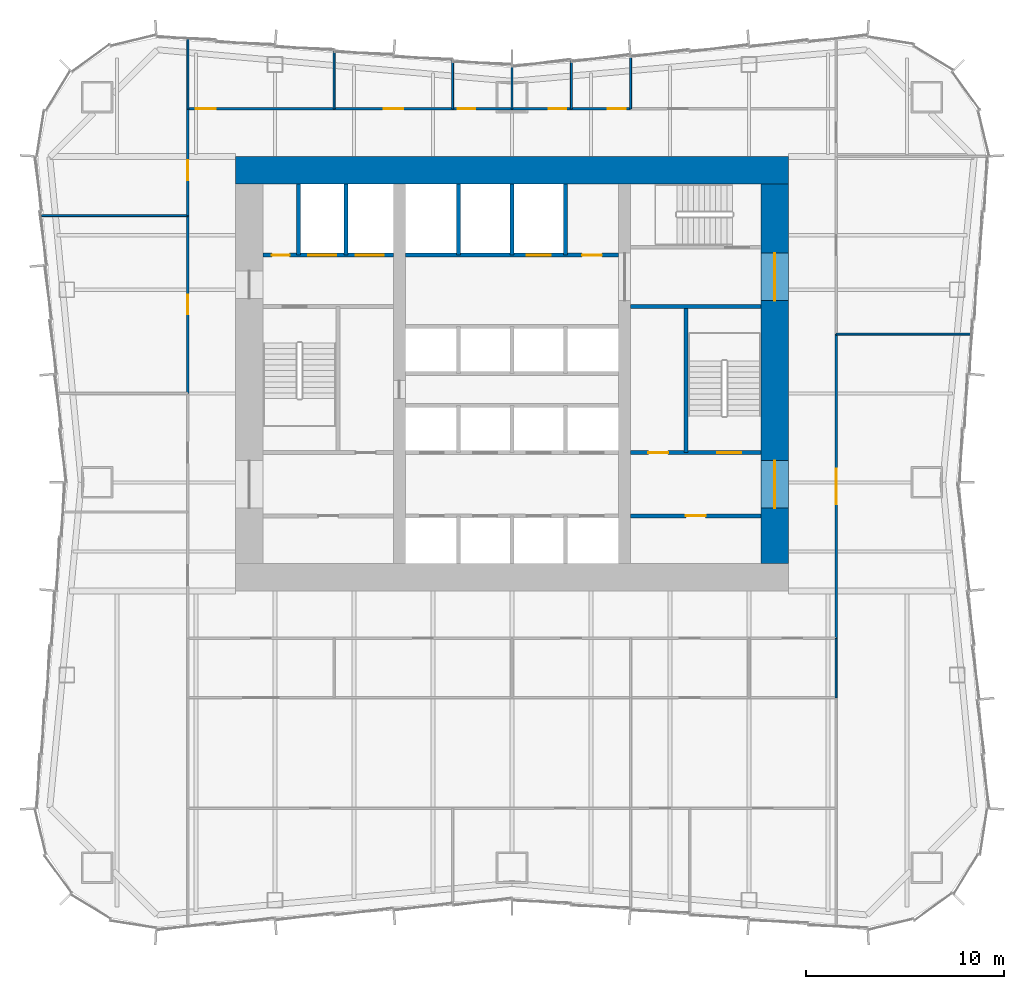
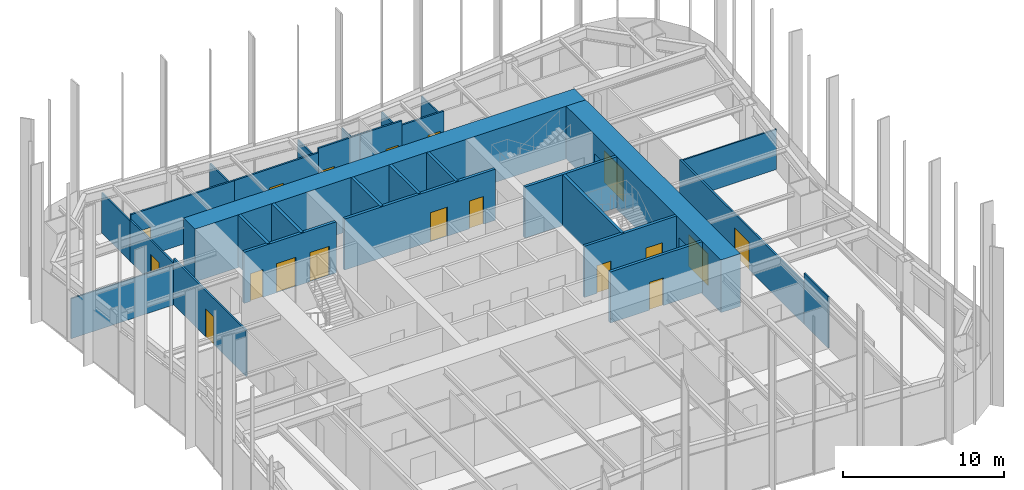
# One storey, part 11 of 13: 30 walls, 18 doors, 18 openings.
"""IFC4 building model written with IfcOpenShell, lengths in metres."""

from ifc_helpers import new_model, si_unit, direction, frame, frame_2d, origin, place, context, subcontext, project, spatial, rectangle, extrude, material, layer, layer_set, type_object, element, fill, save


model = new_model("IFC4")

# Units and contexts
model_context = context("Model", 3, precision=1e-05, world=origin(), true_north=direction((0.0, 1.0)))
body_context = subcontext(model_context, "Body", "Model", "MODEL_VIEW")
ifc_project = project(units=[si_unit("LENGTHUNIT", "METRE"), si_unit("AREAUNIT", "SQUARE_METRE"), si_unit("VOLUMEUNIT", "CUBIC_METRE"), si_unit("PLANEANGLEUNIT", "RADIAN"), si_unit("MASSUNIT", "GRAM", prefix="KILO")], contexts=[model_context])

# Site, building, storey
site_placement = place(None, origin())
site = spatial("IfcSite", under=ifc_project, at=site_placement, CompositionType="ELEMENT")
building_placement = place(site_placement, origin())
building = spatial("IfcBuilding", under=site, at=building_placement, Name="Verdant Reach Tower", CompositionType="ELEMENT")
storey_placement = place(building_placement, frame((0.0, 0.0, 14.0)))
storey = spatial("IfcBuildingStorey", under=building, at=storey_placement, Name="L02", CompositionType="ELEMENT", Elevation=14.0)

# Wall, opening, door
ifc_material_1 = material(Name="Gypsum board on steel studs", Category="steel")
ifc_layer_1 = layer(ifc_material_1, 0.199951171875)
ifc_layer_set_1 = layer_set([ifc_layer_1], Name="CO-WALL-ROOM")
wall_type_1 = type_object("IfcWallType", Name="CO-WALL-ROOM", PredefinedType="PARTITIONING", material=ifc_layer_set_1)
wall_1_placement = place(storey_placement, frame((6.0, 20.800048828125, 0.0), z_axis=(0.0, 0.0, 1.0), x_axis=(1.0, 0.0, 0.0)))
wall_1 = element("IfcWall", 1, at=wall_1_placement, inside=storey, type_object=wall_type_1, Name="Core partition, L02", PredefinedType="PARTITIONING", context=body_context, shape_type="SweptSolid", body=[
    extrude(rectangle(XDim=6.60009765625, YDim=0.199951171875, at=frame_2d((3.300048828125, 0.0))), origin(), (0.0, 0.0, 1.0), 3.8701171875),
])
opening_1_placement = place(wall_1_placement, frame((2.800048828125, 0.0, 0.0)))
opening_1 = element("IfcOpeningElement", 2, at=opening_1_placement, cuts=wall_1, Name="Opening CD", PredefinedType="OPENING", context=body_context, shape_type="SweptSolid", body=[
    extrude(rectangle(XDim=1.0, YDim=2.10009765625, at=frame_2d((0.5, 1.050048828125))), frame((0.0, 0.10986328125, 0.0), z_axis=(0.0, -1.0, 0.0), x_axis=(1.0, 0.0, 0.0)), (0.0, 0.0, 1.0), 0.219970703125),
])
ifc_material_2 = material(Name="Timber", Category="wood")
door_type_1 = type_object("IfcDoorType", Name="CO-DOOR-ROOM", OperationType="NOTDEFINED", PredefinedType="DOOR", material=ifc_material_2)
door_1_placement = place(opening_1_placement, origin())
door_1 = element("IfcDoor", 3, at=door_1_placement, inside=storey, type_object=door_type_1, Name="Core room door, L02", OperationType="SINGLE_SWING_RIGHT", OverallHeight=2.10009765625, OverallWidth=1.0, PredefinedType="DOOR", context=body_context, shape_type="SweptSolid", body=[
    extrude(rectangle(XDim=1.0, YDim=2.10009765625, at=frame_2d((0.5, 1.050048828125))), frame((0.0, 0.02490234375, 0.0), z_axis=(0.0, -1.0, 0.0), x_axis=(1.0, 0.0, 0.0)), (0.0, 0.0, 1.0), 0.050048828125),
])
fill(opening_1, door_1)

# Wall, openings, doors
ifc_material_3 = material(Name="Concrete C40/50", Category="concrete")
ifc_layer_2 = layer(ifc_material_3, 0.199951171875)
ifc_layer_set_2 = layer_set([ifc_layer_2], Name="CO-WALL-SHAFT")
wall_type_2 = type_object("IfcWallType", Name="CO-WALL-SHAFT", PredefinedType="PARTITIONING", material=ifc_layer_set_2)
wall_2_placement = place(storey_placement, frame((-12.60009765625, 34.0, 0.0), z_axis=(0.0, 0.0, 1.0), x_axis=(1.0, 0.0, 0.0)))
wall_2 = element("IfcWall", 4, at=wall_2_placement, inside=storey, type_object=wall_type_2, Name="Lift shaft wall, L02", PredefinedType="PARTITIONING", context=body_context, shape_type="SweptSolid", body=[
    extrude(rectangle(XDim=6.60009765625, YDim=0.199951171875, at=frame_2d((3.300048828125, 0.0))), origin(), (0.0, 0.0, 1.0), 3.8701171875),
])
opening_2_placement = place(wall_2_placement, frame((4.699951171875, 0.0, 0.0)))
opening_2 = element("IfcOpeningElement", 5, at=opening_2_placement, cuts=wall_2, Name="Opening LD-F1", PredefinedType="OPENING", context=body_context, shape_type="SweptSolid", body=[
    extrude(rectangle(XDim=1.39990234375, YDim=2.199951171875, at=frame_2d((0.699951171875, 1.10009765625))), frame((0.0, 0.10986328125, 0.0), z_axis=(0.0, -1.0, 0.0), x_axis=(1.0, 0.0, 0.0)), (0.0, 0.0, 1.0), 0.219970703125),
])
opening_3_placement = place(wall_2_placement, frame((2.300048828125, 0.0, 0.0)))
opening_3 = element("IfcOpeningElement", 6, at=opening_3_placement, cuts=wall_2, Name="Opening LD-F2", PredefinedType="OPENING", context=body_context, shape_type="SweptSolid", body=[
    extrude(rectangle(XDim=1.39990234375, YDim=2.199951171875, at=frame_2d((0.699951171875, 1.10009765625))), frame((0.0, 0.10986328125, 0.0), z_axis=(0.0, -1.0, 0.0), x_axis=(1.0, 0.0, 0.0)), (0.0, 0.0, 1.0), 0.219970703125),
])
opening_4_placement = place(wall_2_placement, frame((0.449951171875, 0.0, 0.0)))
opening_4 = element("IfcOpeningElement", 7, at=opening_4_placement, cuts=wall_2, Name="Opening RD", PredefinedType="OPENING", context=body_context, shape_type="SweptSolid", body=[
    extrude(rectangle(XDim=0.89990234375, YDim=2.10009765625, at=frame_2d((0.449951171875, 1.050048828125))), frame((0.0, 0.10986328125, 0.0), z_axis=(0.0, -1.0, 0.0), x_axis=(1.0, 0.0, 0.0)), (0.0, 0.0, 1.0), 0.219970703125),
])
ifc_material_4 = material(Name="Stainless steel", Category="steel")
door_type_2 = type_object("IfcDoorType", Name="CO-DOOR-LANDING-FF", OperationType="SLIDING_TO_LEFT", PredefinedType="DOOR", material=ifc_material_4)
door_2_placement = place(opening_2_placement, origin())
door_2 = element("IfcDoor", 8, at=door_2_placement, inside=storey, type_object=door_type_2, Name="Landing door F1, L02", OperationType="SLIDING_TO_LEFT", OverallHeight=2.199951171875, OverallWidth=1.39990234375, PredefinedType="DOOR", context=body_context, shape_type="SweptSolid", body=[
    extrude(rectangle(XDim=1.39990234375, YDim=2.199951171875, at=frame_2d((0.699951171875, 1.10009765625))), frame((0.0, 0.02490234375, 0.0), z_axis=(0.0, -1.0, 0.0), x_axis=(1.0, 0.0, 0.0)), (0.0, 0.0, 1.0), 0.050048828125),
])
fill(opening_2, door_2)
door_3_placement = place(opening_3_placement, origin())
door_3 = element("IfcDoor", 9, at=door_3_placement, inside=storey, type_object=door_type_2, Name="Landing door F2, L02", OperationType="SLIDING_TO_LEFT", OverallHeight=2.199951171875, OverallWidth=1.39990234375, PredefinedType="DOOR", context=body_context, shape_type="SweptSolid", body=[
    extrude(rectangle(XDim=1.39990234375, YDim=2.199951171875, at=frame_2d((0.699951171875, 1.10009765625))), frame((0.0, 0.02490234375, 0.0), z_axis=(0.0, -1.0, 0.0), x_axis=(1.0, 0.0, 0.0)), (0.0, 0.0, 1.0), 0.050048828125),
])
fill(opening_3, door_3)
ifc_material_5 = material(Name="Steel", Category="steel")
door_type_3 = type_object("IfcDoorType", Name="CO-DOOR-RISER", OperationType="NOTDEFINED", PredefinedType="DOOR", material=ifc_material_5)
door_4_placement = place(opening_4_placement, origin())
door_4 = element("IfcDoor", 10, at=door_4_placement, inside=storey, type_object=door_type_3, Name="Core room door, L02", OperationType="SINGLE_SWING_RIGHT", OverallHeight=2.10009765625, OverallWidth=0.89990234375, PredefinedType="DOOR", context=body_context, shape_type="SweptSolid", body=[
    extrude(rectangle(XDim=0.89990234375, YDim=2.10009765625, at=frame_2d((0.449951171875, 1.050048828125))), frame((0.0, 0.02490234375, 0.0), z_axis=(0.0, -1.0, 0.0), x_axis=(1.0, 0.0, 0.0)), (0.0, 0.0, 1.0), 0.050048828125),
])
fill(opening_4, door_4)

wall_3_placement = place(storey_placement, frame((-5.39990234375, 34.0, 0.0), z_axis=(0.0, 0.0, 1.0), x_axis=(1.0, 0.0, 0.0)))
wall_3 = element("IfcWall", 11, at=wall_3_placement, inside=storey, type_object=wall_type_2, Name="Lift shaft wall, L02", PredefinedType="PARTITIONING", context=body_context, shape_type="SweptSolid", body=[
    extrude(rectangle(XDim=10.7998046875, YDim=0.199951171875, at=frame_2d((5.39990234375, 0.0))), origin(), (0.0, 0.0, 1.0), 3.8701171875),
])
opening_5_placement = place(wall_3_placement, frame((6.14990234375, 0.0, 0.0)))
opening_5 = element("IfcOpeningElement", 12, at=opening_5_placement, cuts=wall_3, Name="Opening LD-SL1", PredefinedType="OPENING", context=body_context, shape_type="SweptSolid", body=[
    extrude(rectangle(XDim=1.199951171875, YDim=2.199951171875, at=frame_2d((0.60009765625, 1.10009765625))), frame((0.0, 0.10986328125, 0.0), z_axis=(0.0, -1.0, 0.0), x_axis=(1.0, 0.0, 0.0)), (0.0, 0.0, 1.0), 0.219970703125),
])
opening_6_placement = place(wall_3_placement, frame((8.949951171875, 0.0, 0.0)))
opening_6 = element("IfcOpeningElement", 13, at=opening_6_placement, cuts=wall_3, Name="Opening CD", PredefinedType="OPENING", context=body_context, shape_type="SweptSolid", body=[
    extrude(rectangle(XDim=1.0, YDim=2.10009765625, at=frame_2d((0.5, 1.050048828125))), frame((0.0, 0.10986328125, 0.0), z_axis=(0.0, -1.0, 0.0), x_axis=(1.0, 0.0, 0.0)), (0.0, 0.0, 1.0), 0.219970703125),
])
door_type_4 = type_object("IfcDoorType", Name="CO-DOOR-LANDING", OperationType="SLIDING_TO_LEFT", PredefinedType="DOOR", material=ifc_material_4)
door_5_placement = place(opening_5_placement, origin())
door_5 = element("IfcDoor", 14, at=door_5_placement, inside=storey, type_object=door_type_4, Name="Landing door SL1, L02", OperationType="SLIDING_TO_LEFT", OverallHeight=2.199951171875, OverallWidth=1.199951171875, PredefinedType="DOOR", context=body_context, shape_type="SweptSolid", body=[
    extrude(rectangle(XDim=1.199951171875, YDim=2.199951171875, at=frame_2d((0.60009765625, 1.10009765625))), frame((0.0, 0.02490234375, 0.0), z_axis=(0.0, -1.0, 0.0), x_axis=(1.0, 0.0, 0.0)), (0.0, 0.0, 1.0), 0.050048828125),
])
fill(opening_5, door_5)
door_6_placement = place(opening_6_placement, origin())
door_6 = element("IfcDoor", 15, at=door_6_placement, inside=storey, type_object=door_type_1, Name="Core room door, L02", OperationType="SINGLE_SWING_LEFT", OverallHeight=2.10009765625, OverallWidth=1.0, PredefinedType="DOOR", context=body_context, shape_type="SweptSolid", body=[
    extrude(rectangle(XDim=1.0, YDim=2.10009765625, at=frame_2d((0.5, 1.050048828125))), frame((0.0, 0.02490234375, 0.0), z_axis=(0.0, -1.0, 0.0), x_axis=(1.0, 0.0, 0.0)), (0.0, 0.0, 1.0), 0.050048828125),
])
fill(opening_6, door_6)

# Walls
for number, where, z_axis, x_axis, name in (
    (16, (-10.800048828125, 34.0, 0.0), (0.0, 0.0, 1.0), (0.0, 1.0, 0.0), "Lift shaft wall, L02"),
    (17, (-8.39990234375, 34.0, 0.0), (0.0, 0.0, 1.0), (0.0, 1.0, 0.0), "Lift shaft wall, L02"),
    (18, (-2.699951171875, 34.0, 0.0), (0.0, 0.0, 1.0), (0.0, 1.0, 0.0), "Lift shaft wall, L02"),
    (19, (0.0, 34.0, 0.0), (0.0, 0.0, 1.0), (0.0, 1.0, 0.0), "Lift shaft wall, L02"),
    (20, (2.699951171875, 34.0, 0.0), (0.0, 0.0, 1.0), (0.0, 1.0, 0.0), "Lift shaft wall, L02"),
):
    element("IfcWall", number, at=place(storey_placement, frame(where, z_axis=z_axis, x_axis=x_axis)), inside=storey, type_object=wall_type_2, Name=name, PredefinedType="PARTITIONING", context=body_context, shape_type="SweptSolid", body=[
        extrude(rectangle(XDim=3.60009765625, YDim=0.199951171875, at=frame_2d((1.800048828125, 0.0))), origin(), (0.0, 0.0, 1.0), 3.8701171875),
    ])

# Wall, openings, doors
ifc_layer_3 = layer(ifc_material_3, 0.199951171875)
ifc_layer_set_3 = layer_set([ifc_layer_3], Name="CO-WALL-STAIR")
wall_type_3 = type_object("IfcWallType", Name="CO-WALL-STAIR", PredefinedType="PARTITIONING", material=ifc_layer_set_3)
wall_4_placement = place(storey_placement, frame((6.0, 24.0, 0.0), z_axis=(0.0, 0.0, 1.0), x_axis=(1.0, 0.0, 0.0)))
wall_4 = element("IfcWall", 21, at=wall_4_placement, inside=storey, type_object=wall_type_3, Name="Stair enclosure wall, L02", PredefinedType="PARTITIONING", context=body_context, shape_type="SweptSolid", body=[
    extrude(rectangle(XDim=6.60009765625, YDim=0.199951171875, at=frame_2d((3.300048828125, 0.0))), origin(), (0.0, 0.0, 1.0), 3.8701171875),
])
opening_7_placement = place(wall_4_placement, frame((0.89990234375, 0.0, 0.0)))
opening_7 = element("IfcOpeningElement", 22, at=opening_7_placement, cuts=wall_4, Name="Opening CD", PredefinedType="OPENING", context=body_context, shape_type="SweptSolid", body=[
    extrude(rectangle(XDim=1.0, YDim=2.10009765625, at=frame_2d((0.5, 1.050048828125))), frame((0.0, 0.10986328125, 0.0), z_axis=(0.0, -1.0, 0.0), x_axis=(1.0, 0.0, 0.0)), (0.0, 0.0, 1.0), 0.219970703125),
])
opening_8_placement = place(wall_4_placement, frame((4.39990234375, 0.0, 0.0)))
opening_8 = element("IfcOpeningElement", 23, at=opening_8_placement, cuts=wall_4, Name="Opening SD", PredefinedType="OPENING", context=body_context, shape_type="SweptSolid", body=[
    extrude(rectangle(XDim=1.199951171875, YDim=2.199951171875, at=frame_2d((0.60009765625, 1.10009765625))), frame((0.0, 0.10986328125, 0.0), z_axis=(0.0, -1.0, 0.0), x_axis=(1.0, 0.0, 0.0)), (0.0, 0.0, 1.0), 0.219970703125),
])
door_7_placement = place(opening_7_placement, origin())
door_7 = element("IfcDoor", 24, at=door_7_placement, inside=storey, type_object=door_type_1, Name="Core room door, L02", OperationType="SINGLE_SWING_LEFT", OverallHeight=2.10009765625, OverallWidth=1.0, PredefinedType="DOOR", context=body_context, shape_type="SweptSolid", body=[
    extrude(rectangle(XDim=1.0, YDim=2.10009765625, at=frame_2d((0.5, 1.050048828125))), frame((0.0, 0.02490234375, 0.0), z_axis=(0.0, -1.0, 0.0), x_axis=(1.0, 0.0, 0.0)), (0.0, 0.0, 1.0), 0.050048828125),
])
fill(opening_7, door_7)
door_type_5 = type_object("IfcDoorType", Name="CO-DOOR-STAIR", OperationType="NOTDEFINED", PredefinedType="DOOR", material=ifc_material_5)
door_8_placement = place(opening_8_placement, origin())
door_8 = element("IfcDoor", 25, at=door_8_placement, inside=storey, type_object=door_type_5, Name="Stair door, L02", OperationType="SINGLE_SWING_LEFT", OverallHeight=2.199951171875, OverallWidth=1.199951171875, PredefinedType="DOOR", context=body_context, shape_type="SweptSolid", body=[
    extrude(rectangle(XDim=1.199951171875, YDim=2.199951171875, at=frame_2d((0.60009765625, 1.10009765625))), frame((0.0, 0.02490234375, 0.0), z_axis=(0.0, -1.0, 0.0), x_axis=(1.0, 0.0, 0.0)), (0.0, 0.0, 1.0), 0.050048828125),
])
fill(opening_8, door_8)

# Walls
wall_5_placement = place(storey_placement, frame((6.0, 31.39990234375, 0.0), z_axis=(0.0, 0.0, 1.0), x_axis=(1.0, 0.0, 0.0)))
element("IfcWall", 26, at=wall_5_placement, inside=storey, type_object=wall_type_3, Name="Stair enclosure wall, L02", PredefinedType="PARTITIONING", context=body_context, shape_type="SweptSolid", body=[
    extrude(rectangle(XDim=6.60009765625, YDim=0.199951171875, at=frame_2d((3.300048828125, 0.0))), origin(), (0.0, 0.0, 1.0), 3.8701171875),
])
wall_6_placement = place(storey_placement, frame((8.800048828125, 24.0, 0.0), z_axis=(0.0, 0.0, 1.0), x_axis=(0.0, 1.0, 0.0)))
element("IfcWall", 27, at=wall_6_placement, inside=storey, type_object=wall_type_3, Name="Stair enclosure wall, L02", PredefinedType="PARTITIONING", context=body_context, shape_type="SweptSolid", body=[
    extrude(rectangle(XDim=7.39990234375, YDim=0.199951171875, at=frame_2d((3.699951171875, 0.0))), origin(), (0.0, 0.0, 1.0), 3.8701171875),
])
ifc_layer_4 = layer(ifc_material_1, 0.10009765625)
ifc_layer_set_4 = layer_set([ifc_layer_4], Name="FL-W1 Partition 100")
wall_type_4 = type_object("IfcWallType", Name="FL-W1 Partition 100", PredefinedType="PARTITIONING", material=ifc_layer_set_4)
wall_7_placement = place(storey_placement, frame((16.39990234375, 11.595947265625, 0.0), z_axis=(0.0, 0.0, 1.0), x_axis=(0.0, 1.0, 0.0)))
element("IfcWall", 28, at=wall_7_placement, inside=storey, type_object=wall_type_4, Name="Partition 02.36", PredefinedType="PARTITIONING", context=body_context, shape_type="SweptSolid", body=[
    extrude(rectangle(XDim=3.008056640625, YDim=0.10009765625, at=frame_2d((1.50390625, 0.0))), origin(), (0.0, 0.0, 1.0), 3.8701171875),
])
wall_8_placement = place(storey_placement, frame((-9.0, 41.39990234375, 0.0), z_axis=(0.0, 0.0, 1.0), x_axis=(0.0, 1.0, 0.0)))
element("IfcWall", 29, at=wall_8_placement, inside=storey, type_object=wall_type_4, Name="Partition 02.42", PredefinedType="PARTITIONING", context=body_context, shape_type="SweptSolid", body=[
    extrude(rectangle(XDim=2.93017578125, YDim=0.10009765625, at=frame_2d((1.465087890625, 0.0))), origin(), (0.0, 0.0, 1.0), 3.0400390625),
])
wall_9_placement = place(storey_placement, frame((-16.39990234375, 44.94677734375, 0.0), z_axis=(0.0, 0.0, 1.0), x_axis=(0.0, -1.0, 0.0)))
element("IfcWall", 30, at=wall_9_placement, inside=storey, type_object=wall_type_4, Name="Partition 02.43", PredefinedType="PARTITIONING", context=body_context, shape_type="SweptSolid", body=[
    extrude(rectangle(XDim=3.55078125, YDim=0.10009765625, at=frame_2d((1.775390625, 0.0))), origin(), (0.0, 0.0, 1.0), 3.0400390625),
])
wall_10_placement = place(storey_placement, frame((-3.0, 41.39990234375, 0.0), z_axis=(0.0, 0.0, 1.0), x_axis=(0.0, 1.0, 0.0)))
element("IfcWall", 31, at=wall_10_placement, inside=storey, type_object=wall_type_4, Name="Partition 02.44", PredefinedType="PARTITIONING", context=body_context, shape_type="SweptSolid", body=[
    extrude(rectangle(XDim=2.43017578125, YDim=0.10009765625, at=frame_2d((1.215087890625, 0.0))), origin(), (0.0, 0.0, 1.0), 3.0400390625),
])
wall_11_placement = place(storey_placement, frame((0.0, 41.39990234375, 0.0), z_axis=(0.0, 0.0, 1.0), x_axis=(0.0, 1.0, 0.0)))
element("IfcWall", 32, at=wall_11_placement, inside=storey, type_object=wall_type_4, Name="Partition 02.45", PredefinedType="PARTITIONING", context=body_context, shape_type="SweptSolid", body=[
    extrude(rectangle(XDim=2.18017578125, YDim=0.10009765625, at=frame_2d((1.090087890625, 0.0))), origin(), (0.0, 0.0, 1.0), 3.0400390625),
])
wall_12_placement = place(storey_placement, frame((3.0, 41.39990234375, 0.0), z_axis=(0.0, 0.0, 1.0), x_axis=(0.0, 1.0, 0.0)))
element("IfcWall", 33, at=wall_12_placement, inside=storey, type_object=wall_type_4, Name="Partition 02.46", PredefinedType="PARTITIONING", context=body_context, shape_type="SweptSolid", body=[
    extrude(rectangle(XDim=2.43017578125, YDim=0.10009765625, at=frame_2d((1.215087890625, 0.0))), origin(), (0.0, 0.0, 1.0), 3.0400390625),
])
wall_13_placement = place(storey_placement, frame((6.0, 41.39990234375, 0.0), z_axis=(0.0, 0.0, 1.0), x_axis=(0.0, 1.0, 0.0)))
element("IfcWall", 34, at=wall_13_placement, inside=storey, type_object=wall_type_4, Name="Partition 02.47", PredefinedType="PARTITIONING", context=body_context, shape_type="SweptSolid", body=[
    extrude(rectangle(XDim=2.68017578125, YDim=0.10009765625, at=frame_2d((1.340087890625, 0.0))), origin(), (0.0, 0.0, 1.0), 3.0400390625),
])
wall_14_placement = place(storey_placement, frame((-16.39990234375, 36.0, 0.0), z_axis=(0.0, 0.0, 1.0), x_axis=(-1.0, 0.0, 0.0)))
element("IfcWall", 35, at=wall_14_placement, inside=storey, type_object=wall_type_4, Name="Partition 02.51", PredefinedType="PARTITIONING", context=body_context, shape_type="SweptSolid", body=[
    extrude(rectangle(XDim=7.407470703125, YDim=0.10009765625, at=frame_2d((3.70361328125, 0.0))), origin(), (0.0, 0.0, 1.0), 3.0400390625),
])
wall_15_placement = place(storey_placement, frame((23.26171875, 30.0, 0.0), z_axis=(0.0, 0.0, 1.0), x_axis=(-1.0, 0.0, 0.0)))
element("IfcWall", 36, at=wall_15_placement, inside=storey, type_object=wall_type_4, Name="Partition 02.52", PredefinedType="PARTITIONING", context=body_context, shape_type="SweptSolid", body=[
    extrude(rectangle(XDim=6.86181640625, YDim=0.10009765625, at=frame_2d((3.430908203125, 0.0))), origin(), (0.0, 0.0, 1.0), 3.0400390625),
])

# Wall, opening, door
ifc_material_6 = material(Name="Gypsum board on steel studs, fire rated", Category="steel")
ifc_layer_5 = layer(ifc_material_6, 0.125)
ifc_layer_set_5 = layer_set([ifc_layer_5], Name="FL-W2 Corridor wall 125")
wall_type_5 = type_object("IfcWallType", Name="FL-W2 Corridor wall 125", PredefinedType="PARTITIONING", material=ifc_layer_set_5)
wall_16_placement = place(storey_placement, frame((-16.39990234375, 41.39990234375, 0.0), z_axis=(0.0, 0.0, 1.0), x_axis=(1.0, 0.0, 0.0)))
wall_16 = element("IfcWall", 37, at=wall_16_placement, inside=storey, type_object=wall_type_5, Name="Partition 02.06", PredefinedType="PARTITIONING", context=body_context, shape_type="SweptSolid", body=[
    extrude(rectangle(XDim=7.39990234375, YDim=0.125, at=frame_2d((3.699951171875, 0.0))), origin(), (0.0, 0.0, 1.0), 3.5400390625),
])
opening_9_placement = place(wall_16_placement, frame((0.39990234375, 0.0, 0.0)))
opening_9 = element("IfcOpeningElement", 38, at=opening_9_placement, cuts=wall_16, Name="Opening D2", PredefinedType="OPENING", context=body_context, shape_type="SweptSolid", body=[
    extrude(rectangle(XDim=1.0, YDim=2.10009765625, at=frame_2d((0.5, 1.050048828125))), frame((0.0, 0.072509765625, 0.0), z_axis=(0.0, -1.0, 0.0), x_axis=(1.0, 0.0, 0.0)), (0.0, 0.0, 1.0), 0.14501953125),
])
ifc_material_7 = material(Name="Timber door leaf, fire rated", Category="wood")
door_type_6 = type_object("IfcDoorType", Name="FL-D2 Entrance door 1000x2100 FD30", OperationType="NOTDEFINED", PredefinedType="DOOR", material=ifc_material_7)
door_9_placement = place(opening_9_placement, origin())
door_9 = element("IfcDoor", 39, at=door_9_placement, inside=storey, type_object=door_type_6, Name="Door 02-006", OperationType="SINGLE_SWING_LEFT", OverallHeight=2.10009765625, OverallWidth=1.0, PredefinedType="DOOR", context=body_context, shape_type="SweptSolid", body=[
    extrude(rectangle(XDim=1.0, YDim=2.10009765625, at=frame_2d((0.5, 1.050048828125))), frame((0.0, 0.02490234375, 0.0), z_axis=(0.0, -1.0, 0.0), x_axis=(1.0, 0.0, 0.0)), (0.0, 0.0, 1.0), 0.050048828125),
])
fill(opening_9, door_9)

wall_17_placement = place(storey_placement, frame((-9.0, 41.39990234375, 0.0), z_axis=(0.0, 0.0, 1.0), x_axis=(1.0, 0.0, 0.0)))
wall_17 = element("IfcWall", 40, at=wall_17_placement, inside=storey, type_object=wall_type_5, Name="Partition 02.07", PredefinedType="PARTITIONING", context=body_context, shape_type="SweptSolid", body=[
    extrude(rectangle(XDim=6.0, YDim=0.125, at=frame_2d((3.0, 0.0))), origin(), (0.0, 0.0, 1.0), 3.5400390625),
])
opening_10_placement = place(wall_17_placement, frame((2.5, 0.0, 0.0)))
opening_10 = element("IfcOpeningElement", 41, at=opening_10_placement, cuts=wall_17, Name="Opening D2", PredefinedType="OPENING", context=body_context, shape_type="SweptSolid", body=[
    extrude(rectangle(XDim=1.0, YDim=2.10009765625, at=frame_2d((0.5, 1.050048828125))), frame((0.0, 0.072509765625, 0.0), z_axis=(0.0, -1.0, 0.0), x_axis=(1.0, 0.0, 0.0)), (0.0, 0.0, 1.0), 0.14501953125),
])
door_10_placement = place(opening_10_placement, origin())
door_10 = element("IfcDoor", 42, at=door_10_placement, inside=storey, type_object=door_type_6, Name="Door 02-007", OperationType="SINGLE_SWING_LEFT", OverallHeight=2.10009765625, OverallWidth=1.0, PredefinedType="DOOR", context=body_context, shape_type="SweptSolid", body=[
    extrude(rectangle(XDim=1.0, YDim=2.10009765625, at=frame_2d((0.5, 1.050048828125))), frame((0.0, 0.02490234375, 0.0), z_axis=(0.0, -1.0, 0.0), x_axis=(1.0, 0.0, 0.0)), (0.0, 0.0, 1.0), 0.050048828125),
])
fill(opening_10, door_10)

wall_18_placement = place(storey_placement, frame((-3.0, 41.39990234375, 0.0), z_axis=(0.0, 0.0, 1.0), x_axis=(1.0, 0.0, 0.0)))
wall_18 = element("IfcWall", 43, at=wall_18_placement, inside=storey, type_object=wall_type_5, Name="Partition 02.08", PredefinedType="PARTITIONING", context=body_context, shape_type="SweptSolid", body=[
    extrude(rectangle(XDim=3.0, YDim=0.125, at=frame_2d((1.5, 0.0))), origin(), (0.0, 0.0, 1.0), 3.8701171875),
])
opening_11_placement = place(wall_18_placement, frame((0.25, 0.0, 0.0)))
opening_11 = element("IfcOpeningElement", 44, at=opening_11_placement, cuts=wall_18, Name="Opening D1", PredefinedType="OPENING", context=body_context, shape_type="SweptSolid", body=[
    extrude(rectangle(XDim=0.89990234375, YDim=2.10009765625, at=frame_2d((0.449951171875, 1.050048828125))), frame((0.0, 0.072509765625, 0.0), z_axis=(0.0, -1.0, 0.0), x_axis=(1.0, 0.0, 0.0)), (0.0, 0.0, 1.0), 0.14501953125),
])
ifc_material_8 = material(Name="Painted timber door leaf", Category="wood")
door_type_7 = type_object("IfcDoorType", Name="FL-D1 Door 900x2100", OperationType="NOTDEFINED", PredefinedType="DOOR", material=ifc_material_8)
door_11_placement = place(opening_11_placement, origin())
door_11 = element("IfcDoor", 45, at=door_11_placement, inside=storey, type_object=door_type_7, Name="Door 02-008", OperationType="SINGLE_SWING_LEFT", OverallHeight=2.10009765625, OverallWidth=0.89990234375, PredefinedType="DOOR", context=body_context, shape_type="SweptSolid", body=[
    extrude(rectangle(XDim=0.89990234375, YDim=2.10009765625, at=frame_2d((0.449951171875, 1.050048828125))), frame((0.0, 0.02490234375, 0.0), z_axis=(0.0, -1.0, 0.0), x_axis=(1.0, 0.0, 0.0)), (0.0, 0.0, 1.0), 0.050048828125),
])
fill(opening_11, door_11)

wall_19_placement = place(storey_placement, frame((0.0, 41.39990234375, 0.0), z_axis=(0.0, 0.0, 1.0), x_axis=(1.0, 0.0, 0.0)))
wall_19 = element("IfcWall", 46, at=wall_19_placement, inside=storey, type_object=wall_type_5, Name="Partition 02.09", PredefinedType="PARTITIONING", context=body_context, shape_type="SweptSolid", body=[
    extrude(rectangle(XDim=3.0, YDim=0.125, at=frame_2d((1.5, 0.0))), origin(), (0.0, 0.0, 1.0), 3.8701171875),
])
opening_12_placement = place(wall_19_placement, frame((1.85009765625, 0.0, 0.0)))
opening_12 = element("IfcOpeningElement", 47, at=opening_12_placement, cuts=wall_19, Name="Opening D1", PredefinedType="OPENING", context=body_context, shape_type="SweptSolid", body=[
    extrude(rectangle(XDim=0.89990234375, YDim=2.10009765625, at=frame_2d((0.449951171875, 1.050048828125))), frame((0.0, 0.072509765625, 0.0), z_axis=(0.0, -1.0, 0.0), x_axis=(1.0, 0.0, 0.0)), (0.0, 0.0, 1.0), 0.14501953125),
])
door_12_placement = place(opening_12_placement, origin())
door_12 = element("IfcDoor", 48, at=door_12_placement, inside=storey, type_object=door_type_7, Name="Door 02-009", OperationType="SINGLE_SWING_RIGHT", OverallHeight=2.10009765625, OverallWidth=0.89990234375, PredefinedType="DOOR", context=body_context, shape_type="SweptSolid", body=[
    extrude(rectangle(XDim=0.89990234375, YDim=2.10009765625, at=frame_2d((0.449951171875, 1.050048828125))), frame((0.0, 0.02490234375, 0.0), z_axis=(0.0, -1.0, 0.0), x_axis=(1.0, 0.0, 0.0)), (0.0, 0.0, 1.0), 0.050048828125),
])
fill(opening_12, door_12)

wall_20_placement = place(storey_placement, frame((3.0, 41.39990234375, 0.0), z_axis=(0.0, 0.0, 1.0), x_axis=(1.0, 0.0, 0.0)))
wall_20 = element("IfcWall", 49, at=wall_20_placement, inside=storey, type_object=wall_type_5, Name="Partition 02.10", PredefinedType="PARTITIONING", context=body_context, shape_type="SweptSolid", body=[
    extrude(rectangle(XDim=3.0, YDim=0.125, at=frame_2d((1.5, 0.0))), origin(), (0.0, 0.0, 1.0), 3.5400390625),
])
opening_13_placement = place(wall_20_placement, frame((1.85009765625, 0.0, 0.0)))
opening_13 = element("IfcOpeningElement", 50, at=opening_13_placement, cuts=wall_20, Name="Opening D1", PredefinedType="OPENING", context=body_context, shape_type="SweptSolid", body=[
    extrude(rectangle(XDim=0.89990234375, YDim=2.10009765625, at=frame_2d((0.449951171875, 1.050048828125))), frame((0.0, 0.072509765625, 0.0), z_axis=(0.0, -1.0, 0.0), x_axis=(1.0, 0.0, 0.0)), (0.0, 0.0, 1.0), 0.14501953125),
])
door_13_placement = place(opening_13_placement, origin())
door_13 = element("IfcDoor", 51, at=door_13_placement, inside=storey, type_object=door_type_7, Name="Door 02-010", OperationType="SINGLE_SWING_RIGHT", OverallHeight=2.10009765625, OverallWidth=0.89990234375, PredefinedType="DOOR", context=body_context, shape_type="SweptSolid", body=[
    extrude(rectangle(XDim=0.89990234375, YDim=2.10009765625, at=frame_2d((0.449951171875, 1.050048828125))), frame((0.0, 0.02490234375, 0.0), z_axis=(0.0, -1.0, 0.0), x_axis=(1.0, 0.0, 0.0)), (0.0, 0.0, 1.0), 0.050048828125),
])
fill(opening_13, door_13)

wall_21_placement = place(storey_placement, frame((-16.39990234375, 27.0, 0.0), z_axis=(0.0, 0.0, 1.0), x_axis=(0.0, 1.0, 0.0)))
wall_21 = element("IfcWall", 52, at=wall_21_placement, inside=storey, type_object=wall_type_5, Name="Partition 02.14", PredefinedType="PARTITIONING", context=body_context, shape_type="SweptSolid", body=[
    extrude(rectangle(XDim=9.0, YDim=0.125, at=frame_2d((4.5, 0.0))), origin(), (0.0, 0.0, 1.0), 3.47998046875),
])
opening_14_placement = place(wall_21_placement, frame((4.0, 0.0, 0.0)))
opening_14 = element("IfcOpeningElement", 53, at=opening_14_placement, cuts=wall_21, Name="Opening D2", PredefinedType="OPENING", context=body_context, shape_type="SweptSolid", body=[
    extrude(rectangle(XDim=1.0, YDim=2.10009765625, at=frame_2d((0.5, 1.050048828125))), frame((0.0, 0.072509765625, 0.0), z_axis=(0.0, -1.0, 0.0), x_axis=(1.0, 0.0, 0.0)), (0.0, 0.0, 1.0), 0.14501953125),
])
door_14_placement = place(opening_14_placement, origin())
door_14 = element("IfcDoor", 54, at=door_14_placement, inside=storey, type_object=door_type_6, Name="Door 02-014", OperationType="SINGLE_SWING_RIGHT", OverallHeight=2.10009765625, OverallWidth=1.0, PredefinedType="DOOR", context=body_context, shape_type="SweptSolid", body=[
    extrude(rectangle(XDim=1.0, YDim=2.10009765625, at=frame_2d((0.5, 1.050048828125))), frame((0.0, 0.02490234375, 0.0), z_axis=(0.0, -1.0, 0.0), x_axis=(1.0, 0.0, 0.0)), (0.0, 0.0, 1.0), 0.050048828125),
])
fill(opening_14, door_14)

wall_22_placement = place(storey_placement, frame((-16.39990234375, 36.0, 0.0), z_axis=(0.0, 0.0, 1.0), x_axis=(0.0, 1.0, 0.0)))
wall_22 = element("IfcWall", 55, at=wall_22_placement, inside=storey, type_object=wall_type_5, Name="Partition 02.15", PredefinedType="PARTITIONING", context=body_context, shape_type="SweptSolid", body=[
    extrude(rectangle(XDim=5.404052734375, YDim=0.125, at=frame_2d((2.7021484375, 0.0))), origin(), (0.0, 0.0, 1.0), 3.139892578125),
])
opening_15_placement = place(wall_22_placement, frame((1.802001953125, 0.0, 0.0)))
opening_15 = element("IfcOpeningElement", 56, at=opening_15_placement, cuts=wall_22, Name="Opening D2", PredefinedType="OPENING", context=body_context, shape_type="SweptSolid", body=[
    extrude(rectangle(XDim=1.0, YDim=2.10009765625, at=frame_2d((0.5, 1.050048828125))), frame((0.0, 0.072509765625, 0.0), z_axis=(0.0, -1.0, 0.0), x_axis=(1.0, 0.0, 0.0)), (0.0, 0.0, 1.0), 0.14501953125),
])
door_15_placement = place(opening_15_placement, origin())
door_15 = element("IfcDoor", 57, at=door_15_placement, inside=storey, type_object=door_type_6, Name="Door 02-015", OperationType="SINGLE_SWING_LEFT", OverallHeight=2.10009765625, OverallWidth=1.0, PredefinedType="DOOR", context=body_context, shape_type="SweptSolid", body=[
    extrude(rectangle(XDim=1.0, YDim=2.10009765625, at=frame_2d((0.5, 1.050048828125))), frame((0.0, 0.02490234375, 0.0), z_axis=(0.0, -1.0, 0.0), x_axis=(1.0, 0.0, 0.0)), (0.0, 0.0, 1.0), 0.050048828125),
])
fill(opening_15, door_15)

wall_23_placement = place(storey_placement, frame((16.39990234375, 14.595947265625, 0.0), z_axis=(0.0, 0.0, 1.0), x_axis=(0.0, 1.0, 0.0)))
wall_23 = element("IfcWall", 58, at=wall_23_placement, inside=storey, type_object=wall_type_5, Name="Partition 02.16", PredefinedType="PARTITIONING", context=body_context, shape_type="SweptSolid", body=[
    extrude(rectangle(XDim=15.404052734375, YDim=0.125, at=frame_2d((7.7021484375, 0.0))), origin(), (0.0, 0.0, 1.0), 3.139892578125),
])
opening_16_placement = place(wall_23_placement, frame((6.802001953125, 0.0, 0.0)))
opening_16 = element("IfcOpeningElement", 59, at=opening_16_placement, cuts=wall_23, Name="Opening D4", PredefinedType="OPENING", context=body_context, shape_type="SweptSolid", body=[
    extrude(rectangle(XDim=1.800048828125, YDim=2.10009765625, at=frame_2d((0.89990234375, 1.050048828125))), frame((0.0, 0.072509765625, 0.0), z_axis=(0.0, -1.0, 0.0), x_axis=(1.0, 0.0, 0.0)), (0.0, 0.0, 1.0), 0.14501953125),
])
ifc_material_9 = material(Name="Timber door leaves, fire rated", Category="wood")
door_type_8 = type_object("IfcDoorType", Name="FL-D4 Double door 1800x2100 FD30", OperationType="DOUBLE_DOOR_SINGLE_SWING", PredefinedType="DOOR", material=ifc_material_9)
door_16_placement = place(opening_16_placement, origin())
door_16 = element("IfcDoor", 60, at=door_16_placement, inside=storey, type_object=door_type_8, Name="Door 02-016", OperationType="DOUBLE_DOOR_SINGLE_SWING", OverallHeight=2.10009765625, OverallWidth=1.800048828125, PredefinedType="DOOR", context=body_context, shape_type="SweptSolid", body=[
    extrude(rectangle(XDim=1.800048828125, YDim=2.10009765625, at=frame_2d((0.89990234375, 1.050048828125))), frame((0.0, 0.02490234375, 0.0), z_axis=(0.0, -1.0, 0.0), x_axis=(1.0, 0.0, 0.0)), (0.0, 0.0, 1.0), 0.050048828125),
])
fill(opening_16, door_16)

# Wall
ifc_material_10 = material(Name="Concrete C70/85", Category="concrete")
ifc_layer_6 = layer(ifc_material_10, 1.39990234375)
ifc_layer_set_6 = layer_set([ifc_layer_6], Name="ST-CORE-WALL-1400")
wall_type_6 = type_object("IfcWallType", Name="ST-CORE-WALL-1400", PredefinedType="SHEAR", material=ifc_layer_set_6)
wall_24_placement = place(storey_placement, frame((-14.0, 38.300048828125, -0.1298828125), z_axis=(0.0, 0.0, 1.0), x_axis=(1.0, 0.0, 0.0)))
element("IfcWall", 61, at=wall_24_placement, inside=storey, type_object=wall_type_6, Name="Core wall N, L02", PredefinedType="SHEAR", context=body_context, shape_type="SweptSolid", body=[
    extrude(rectangle(XDim=28.0, YDim=1.39990234375, at=frame_2d((14.0, 0.0))), origin(), (0.0, 0.0, 1.0), 4.0),
])

# Wall, openings, doors
wall_25_placement = place(storey_placement, frame((13.300048828125, 18.39990234375, -0.1298828125), z_axis=(0.0, 0.0, 1.0), x_axis=(0.0, 1.0, 0.0)))
wall_25 = element("IfcWall", 62, at=wall_25_placement, inside=storey, type_object=wall_type_6, Name="Core wall E, L02", PredefinedType="SHEAR", context=body_context, shape_type="SweptSolid", body=[
    extrude(rectangle(XDim=19.2001953125, YDim=1.39990234375, at=frame_2d((9.60009765625, 0.0))), origin(), (0.0, 0.0, 1.0), 4.0),
])
opening_17_placement = place(wall_25_placement, frame((2.800048828125, 0.0, 0.1298828125)))
opening_17 = element("IfcOpeningElement", 63, at=opening_17_placement, cuts=wall_25, Name="Opening LB", PredefinedType="OPENING", context=body_context, shape_type="SweptSolid", body=[
    extrude(rectangle(XDim=2.39990234375, YDim=2.39990234375, at=frame_2d((1.199951171875, 1.199951171875))), frame((0.0, 0.7099609375, 0.0), z_axis=(0.0, -1.0, 0.0), x_axis=(1.0, 0.0, 0.0)), (0.0, 0.0, 1.0), 1.419921875),
])
opening_18_placement = place(wall_25_placement, frame((13.300048828125, 0.0, 0.1298828125)))
opening_18 = element("IfcOpeningElement", 64, at=opening_18_placement, cuts=wall_25, Name="Opening LB", PredefinedType="OPENING", context=body_context, shape_type="SweptSolid", body=[
    extrude(rectangle(XDim=2.39990234375, YDim=2.39990234375, at=frame_2d((1.199951171875, 1.199951171875))), frame((0.0, 0.7099609375, 0.0), z_axis=(0.0, -1.0, 0.0), x_axis=(1.0, 0.0, 0.0)), (0.0, 0.0, 1.0), 1.419921875),
])
ifc_material_11 = material(Name="Glass and steel", Category="steel")
door_type_9 = type_object("IfcDoorType", Name="CO-DOOR-LOBBY", OperationType="DOUBLE_DOOR_SINGLE_SWING", PredefinedType="DOOR", material=ifc_material_11)
door_17_placement = place(opening_17_placement, origin())
door_17 = element("IfcDoor", 65, at=door_17_placement, inside=storey, type_object=door_type_9, Name="Core entrance door, L02", OperationType="DOUBLE_DOOR_SINGLE_SWING", OverallHeight=2.39990234375, OverallWidth=2.39990234375, PredefinedType="DOOR", context=body_context, shape_type="SweptSolid", body=[
    extrude(rectangle(XDim=2.39990234375, YDim=2.39990234375, at=frame_2d((1.199951171875, 1.199951171875))), frame((0.0, 0.02490234375, 0.0), z_axis=(0.0, -1.0, 0.0), x_axis=(1.0, 0.0, 0.0)), (0.0, 0.0, 1.0), 0.050048828125),
])
fill(opening_17, door_17)
door_18_placement = place(opening_18_placement, origin())
door_18 = element("IfcDoor", 66, at=door_18_placement, inside=storey, type_object=door_type_9, Name="Core entrance door, L02", OperationType="DOUBLE_DOOR_SINGLE_SWING", OverallHeight=2.39990234375, OverallWidth=2.39990234375, PredefinedType="DOOR", context=body_context, shape_type="SweptSolid", body=[
    extrude(rectangle(XDim=2.39990234375, YDim=2.39990234375, at=frame_2d((1.199951171875, 1.199951171875))), frame((0.0, 0.02490234375, 0.0), z_axis=(0.0, -1.0, 0.0), x_axis=(1.0, 0.0, 0.0)), (0.0, 0.0, 1.0), 0.050048828125),
])
fill(opening_18, door_18)

save(model, "model.ifc")
